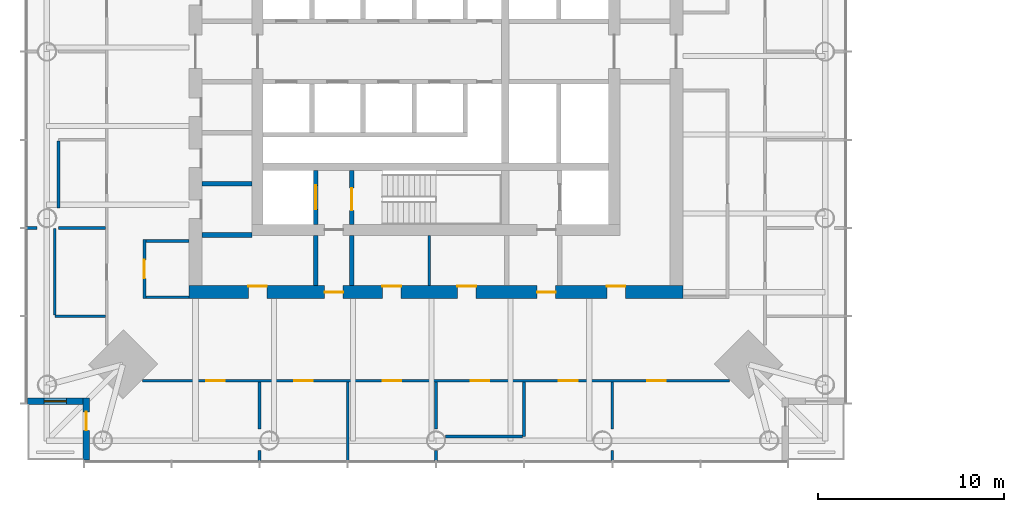
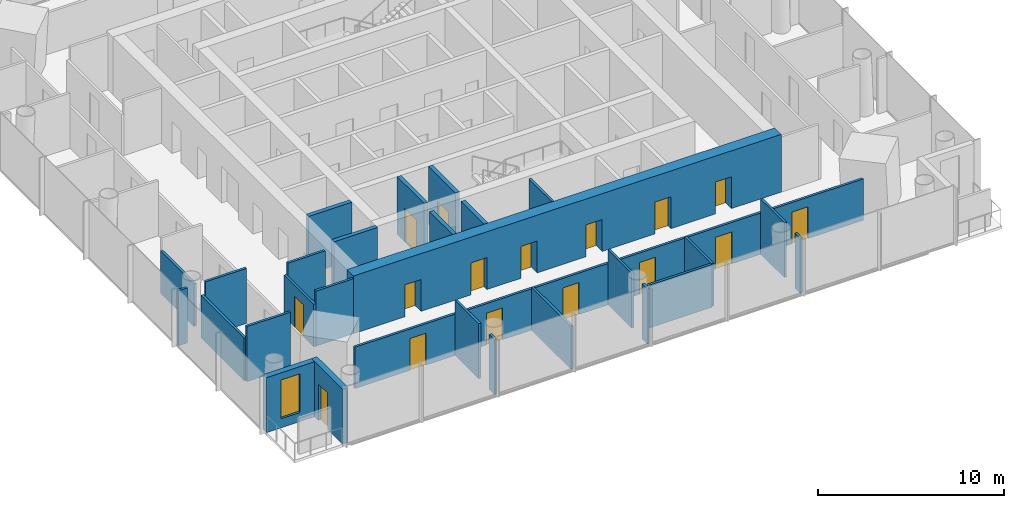
# One storey, part 8 of 19: 28 walls, 16 doors, 1 window, 17 openings.
"""IFC4 building model written with IfcOpenShell, lengths in metres."""

from ifc_helpers import new_model, si_unit, direction, frame, frame_2d, origin, place, context, subcontext, project, spatial, rectangle, extrude, material, layer, layer_set, type_object, element, fill, save


model = new_model("IFC4")

# Units and contexts
model_context = context("Model", 3, precision=1e-05, world=origin(), true_north=direction((0.0, 1.0)))
body_context = subcontext(model_context, "Body", "Model", "MODEL_VIEW")
ifc_project = project(units=[si_unit("LENGTHUNIT", "METRE"), si_unit("AREAUNIT", "SQUARE_METRE"), si_unit("VOLUMEUNIT", "CUBIC_METRE"), si_unit("PLANEANGLEUNIT", "RADIAN"), si_unit("MASSUNIT", "GRAM", prefix="KILO")], contexts=[model_context])

# Site, building, storey
site_placement = place(None, origin())
site = spatial("IfcSite", under=ifc_project, at=site_placement, CompositionType="ELEMENT")
building_placement = place(site_placement, origin())
building = spatial("IfcBuilding", under=site, at=building_placement, Name="Ostroluk Exchange", CompositionType="ELEMENT")
storey_placement = place(building_placement, frame((0.0, 0.0, 116.0)))
storey = spatial("IfcBuildingStorey", under=building, at=storey_placement, Name="L29", CompositionType="ELEMENT", Elevation=116.0)

# Walls
ifc_material_1 = material(Name="Concrete blockwork", Category="masonry")
ifc_layer_1 = layer(ifc_material_1, 0.14990234375)
ifc_layer_set_1 = layer_set([ifc_layer_1], Name="Blockwork plant room wall 150")
wall_type_1 = type_object("IfcWallType", Name="Blockwork plant room wall 150", PredefinedType="SOLIDWALL", material=ifc_layer_set_1)
wall_1_placement = place(storey_placement, frame((44.639892578125, 33.39990234375, 0.0), z_axis=(0.0, 0.0, 1.0), x_axis=(0.0, 1.0, 0.0)))
element("IfcWall", 1, at=wall_1_placement, inside=storey, type_object=wall_type_1, Name="Core room wall", PredefinedType="SOLIDWALL", context=body_context, shape_type="SweptSolid", body=[
    extrude(rectangle(XDim=2.7001953125, YDim=0.14990234375, at=frame_2d((1.35009765625, 0.0))), origin(), (0.0, 0.0, 1.0), 3.6201171875),
])
ifc_material_2 = material(Name="Concrete blockwork", Category="masonry")
ifc_layer_2 = layer(ifc_material_2, 0.25)
ifc_layer_set_2 = layer_set([ifc_layer_2], Name="Blockwork stair enclosure wall 250")
wall_type_2 = type_object("IfcWallType", Name="Blockwork stair enclosure wall 250", PredefinedType="SOLIDWALL", material=ifc_layer_set_2)
for number, where, z_axis, x_axis, name in (
    (2, (38.52490234375, 33.39990234375, 0.0), (0.0, 0.0, 1.0), (0.0, 1.0, 0.0), "Fire lobby enclosure wall"),
    (3, (40.47509765625, 33.39990234375, 0.0), (0.0, 0.0, 1.0), (0.0, 1.0, 0.0), "Fire lobby enclosure wall"),
):
    element("IfcWall", number, at=place(storey_placement, frame(where, z_axis=z_axis, x_axis=x_axis)), inside=storey, type_object=wall_type_2, Name=name, PredefinedType="SOLIDWALL", context=body_context, shape_type="SweptSolid", body=[
        extrude(rectangle(XDim=2.7001953125, YDim=0.25, at=frame_2d((1.35009765625, 0.0))), origin(), (0.0, 0.0, 1.0), 3.6201171875),
    ])

# Wall, opening, door
ifc_material_3 = material(Name="Concrete C40/50", Category="concrete")
ifc_layer_3 = layer(ifc_material_3, 0.25)
ifc_layer_set_3 = layer_set([ifc_layer_3], Name="Core shaft wall 250")
wall_type_3 = type_object("IfcWallType", Name="Core shaft wall 250", PredefinedType="SHEAR", material=ifc_layer_set_3)
wall_2_placement = place(storey_placement, frame((38.52490234375, 36.699951171875, 0.0), z_axis=(0.0, 0.0, 1.0), x_axis=(0.0, 1.0, 0.0)))
wall_2 = element("IfcWall", 4, at=wall_2_placement, inside=storey, type_object=wall_type_3, Name="Firefighting lift shaft wall", PredefinedType="SHEAR", context=body_context, shape_type="SweptSolid", body=[
    extrude(rectangle(XDim=2.900146484375, YDim=0.25, at=frame_2d((1.4501953125, 0.0))), origin(), (0.0, 0.0, 1.0), 3.800048828125),
])
opening_1_placement = place(wall_2_placement, frame((0.800048828125, 0.0, 0.0)))
opening_1 = element("IfcOpeningElement", 5, at=opening_1_placement, cuts=wall_2, Name="Opening LD2", PredefinedType="OPENING", context=body_context, shape_type="SweptSolid", body=[
    extrude(rectangle(XDim=1.300048828125, YDim=2.199951171875, at=frame_2d((0.64990234375, 1.10009765625))), frame((0.0, 0.135009765625, 0.0), z_axis=(0.0, -1.0, 0.0), x_axis=(1.0, 0.0, 0.0)), (0.0, 0.0, 1.0), 0.27001953125),
])
ifc_material_4 = material(Name="Stainless steel", Category="steel")
door_type_1 = type_object("IfcDoorType", Name="Lift landing door E 60 1300 x 2200", OperationType="DOUBLE_DOOR_SLIDING", PredefinedType="DOOR", material=ifc_material_4)
door_1_placement = place(opening_1_placement, origin())
door_1 = element("IfcDoor", 6, at=door_1_placement, inside=storey, type_object=door_type_1, Name="Lift FL1 landing door", OperationType="DOUBLE_DOOR_SLIDING", OverallHeight=2.199951171875, OverallWidth=1.300048828125, PredefinedType="DOOR", context=body_context, shape_type="SweptSolid", body=[
    extrude(rectangle(XDim=1.300048828125, YDim=2.199951171875, at=frame_2d((0.64990234375, 1.10009765625))), frame((0.0, 0.02490234375, 0.0), z_axis=(0.0, -1.0, 0.0), x_axis=(1.0, 0.0, 0.0)), (0.0, 0.0, 1.0), 0.050048828125),
])
fill(opening_1, door_1)

wall_3_placement = place(storey_placement, frame((40.47509765625, 36.699951171875, 0.0), z_axis=(0.0, 0.0, 1.0), x_axis=(0.0, 1.0, 0.0)))
wall_3 = element("IfcWall", 7, at=wall_3_placement, inside=storey, type_object=wall_type_3, Name="Stair shaft wall", PredefinedType="SHEAR", context=body_context, shape_type="SweptSolid", body=[
    extrude(rectangle(XDim=2.900146484375, YDim=0.25, at=frame_2d((1.4501953125, 0.0))), origin(), (0.0, 0.0, 1.0), 3.800048828125),
])
opening_2_placement = place(wall_3_placement, frame((0.75, 0.0, 0.0)))
opening_2 = element("IfcOpeningElement", 8, at=opening_2_placement, cuts=wall_3, Name="Opening FD60S", PredefinedType="OPENING", context=body_context, shape_type="SweptSolid", body=[
    extrude(rectangle(XDim=1.199951171875, YDim=2.10009765625, at=frame_2d((0.60009765625, 1.050048828125))), frame((0.0, 0.135009765625, 0.0), z_axis=(0.0, -1.0, 0.0), x_axis=(1.0, 0.0, 0.0)), (0.0, 0.0, 1.0), 0.27001953125),
])
ifc_material_5 = material(Name="Steel", Category="steel")
door_type_2 = type_object("IfcDoorType", Name="Stair door EI 60 1200 x 2100", OperationType="SINGLE_SWING_LEFT", PredefinedType="DOOR", material=ifc_material_5)
door_2_placement = place(opening_2_placement, origin())
door_2 = element("IfcDoor", 9, at=door_2_placement, inside=storey, type_object=door_type_2, Name="Stair T1-S1 door", OperationType="SINGLE_SWING_LEFT", OverallHeight=2.10009765625, OverallWidth=1.199951171875, PredefinedType="DOOR", context=body_context, shape_type="SweptSolid", body=[
    extrude(rectangle(XDim=1.199951171875, YDim=2.10009765625, at=frame_2d((0.60009765625, 1.050048828125))), frame((0.0, 0.02490234375, 0.0), z_axis=(0.0, -1.0, 0.0), x_axis=(1.0, 0.0, 0.0)), (0.0, 0.0, 1.0), 0.050048828125),
])
fill(opening_2, door_2)

# Walls
for number, where, z_axis, x_axis, name in (
    (10, (32.39990234375, 36.125, 0.0), (0.0, 0.0, 1.0), (1.0, 0.0, 0.0), "Lift shaft wall"),
    (11, (32.39990234375, 38.875, 0.0), (0.0, 0.0, 1.0), (1.0, 0.0, 0.0), "Lift shaft wall"),
):
    element("IfcWall", number, at=place(storey_placement, frame(where, z_axis=z_axis, x_axis=x_axis)), inside=storey, type_object=wall_type_3, Name=name, PredefinedType="SHEAR", context=body_context, shape_type="SweptSolid", body=[
        extrude(rectangle(XDim=2.7001953125, YDim=0.25, at=frame_2d((1.35009765625, 0.0))), origin(), (0.0, 0.0, 1.0), 3.800048828125),
    ])

# Wall, openings, doors
ifc_material_6 = material(Name="Concrete C50/60", Category="concrete")
ifc_layer_4 = layer(ifc_material_6, 0.699951171875)
ifc_layer_set_4 = layer_set([ifc_layer_4], Name="Core wall 700 C50/60")
wall_type_4 = type_object("IfcWallType", Name="Core wall 700 C50/60", PredefinedType="SHEAR", material=ifc_layer_set_4)
wall_4_placement = place(storey_placement, frame((31.699951171875, 33.050048828125, 0.0), z_axis=(0.0, 0.0, 1.0), x_axis=(1.0, 0.0, 0.0)))
wall_4 = element("IfcWall", 12, at=wall_4_placement, inside=storey, type_object=wall_type_4, Name="T1 core wall RS", PredefinedType="SHEAR", context=body_context, shape_type="SweptSolid", body=[
    extrude(rectangle(XDim=26.60009765625, YDim=0.699951171875, at=frame_2d((13.300048828125, 0.0))), origin(), (0.0, 0.0, 1.0), 3.800048828125),
])
opening_3_placement = place(wall_4_placement, frame((7.300048828125, 0.0, 0.0)))
opening_3 = element("IfcOpeningElement", 13, at=opening_3_placement, cuts=wall_4, Name="Opening FD60", PredefinedType="OPENING", context=body_context, shape_type="SweptSolid", body=[
    extrude(rectangle(XDim=1.0, YDim=2.10009765625, at=frame_2d((0.5, 1.050048828125))), frame((0.0, 0.35986328125, 0.0), z_axis=(0.0, -1.0, 0.0), x_axis=(1.0, 0.0, 0.0)), (0.0, 0.0, 1.0), 0.719970703125),
])
opening_4_placement = place(wall_4_placement, frame((18.75, 0.0, 0.0)))
opening_4 = element("IfcOpeningElement", 14, at=opening_4_placement, cuts=wall_4, Name="Opening FD60", PredefinedType="OPENING", context=body_context, shape_type="SweptSolid", body=[
    extrude(rectangle(XDim=1.0, YDim=2.10009765625, at=frame_2d((0.5, 1.050048828125))), frame((0.0, 0.35986328125, 0.0), z_axis=(0.0, -1.0, 0.0), x_axis=(1.0, 0.0, 0.0)), (0.0, 0.0, 1.0), 0.719970703125),
])
opening_5_placement = place(wall_4_placement, frame((3.199951171875, 0.0, 0.0)))
opening_5 = element("IfcOpeningElement", 15, at=opening_5_placement, cuts=wall_4, Name="Opening FD60", PredefinedType="OPENING", context=body_context, shape_type="SweptSolid", body=[
    extrude(rectangle(XDim=1.0, YDim=2.10009765625, at=frame_2d((0.5, 1.050048828125))), frame((0.0, 0.35986328125, 0.0), z_axis=(0.0, -1.0, 0.0), x_axis=(1.0, 0.0, 0.0)), (0.0, 0.0, 1.0), 0.719970703125),
])
opening_6_placement = place(wall_4_placement, frame((10.419921875, 0.0, 0.0)))
opening_6 = element("IfcOpeningElement", 16, at=opening_6_placement, cuts=wall_4, Name="Opening FD60", PredefinedType="OPENING", context=body_context, shape_type="SweptSolid", body=[
    extrude(rectangle(XDim=1.0, YDim=2.10009765625, at=frame_2d((0.5, 1.050048828125))), frame((0.0, 0.35986328125, 0.0), z_axis=(0.0, -1.0, 0.0), x_axis=(1.0, 0.0, 0.0)), (0.0, 0.0, 1.0), 0.719970703125),
])
opening_7_placement = place(wall_4_placement, frame((14.4599609375, 0.0, 0.0)))
opening_7 = element("IfcOpeningElement", 17, at=opening_7_placement, cuts=wall_4, Name="Opening FD60", PredefinedType="OPENING", context=body_context, shape_type="SweptSolid", body=[
    extrude(rectangle(XDim=1.0, YDim=2.10009765625, at=frame_2d((0.5, 1.050048828125))), frame((0.0, 0.35986328125, 0.0), z_axis=(0.0, -1.0, 0.0), x_axis=(1.0, 0.0, 0.0)), (0.0, 0.0, 1.0), 0.719970703125),
])
opening_8_placement = place(wall_4_placement, frame((22.5, 0.0, 0.0)))
opening_8 = element("IfcOpeningElement", 18, at=opening_8_placement, cuts=wall_4, Name="Opening FD60", PredefinedType="OPENING", context=body_context, shape_type="SweptSolid", body=[
    extrude(rectangle(XDim=1.0, YDim=2.10009765625, at=frame_2d((0.5, 1.050048828125))), frame((0.0, 0.35986328125, 0.0), z_axis=(0.0, -1.0, 0.0), x_axis=(1.0, 0.0, 0.0)), (0.0, 0.0, 1.0), 0.719970703125),
])
ifc_material_7 = material(Name="Steel", Category="steel")
door_type_3 = type_object("IfcDoorType", Name="Fire door EI 60 1000 x 2100", OperationType="SINGLE_SWING_LEFT", PredefinedType="DOOR", material=ifc_material_7)
door_3_placement = place(opening_3_placement, origin())
door_3 = element("IfcDoor", 19, at=door_3_placement, inside=storey, type_object=door_type_3, Name="Firefighting lobby door", OperationType="SINGLE_SWING_LEFT", OverallHeight=2.10009765625, OverallWidth=1.0, PredefinedType="DOOR", context=body_context, shape_type="SweptSolid", body=[
    extrude(rectangle(XDim=1.0, YDim=2.10009765625, at=frame_2d((0.5, 1.050048828125))), frame((0.0, 0.02490234375, 0.0), z_axis=(0.0, -1.0, 0.0), x_axis=(1.0, 0.0, 0.0)), (0.0, 0.0, 1.0), 0.050048828125),
])
fill(opening_3, door_3)
door_4_placement = place(opening_4_placement, origin())
door_4 = element("IfcDoor", 20, at=door_4_placement, inside=storey, type_object=door_type_3, Name="Service lobby door", OperationType="SINGLE_SWING_RIGHT", OverallHeight=2.10009765625, OverallWidth=1.0, PredefinedType="DOOR", context=body_context, shape_type="SweptSolid", body=[
    extrude(rectangle(XDim=1.0, YDim=2.10009765625, at=frame_2d((0.5, 1.050048828125))), frame((0.0, 0.02490234375, 0.0), z_axis=(0.0, -1.0, 0.0), x_axis=(1.0, 0.0, 0.0)), (0.0, 0.0, 1.0), 0.050048828125),
])
fill(opening_4, door_4)
door_5_placement = place(opening_5_placement, origin())
door_5 = element("IfcDoor", 21, at=door_5_placement, inside=storey, type_object=door_type_3, Name="Archive door", OperationType="SINGLE_SWING_LEFT", OverallHeight=2.10009765625, OverallWidth=1.0, PredefinedType="DOOR", context=body_context, shape_type="SweptSolid", body=[
    extrude(rectangle(XDim=1.0, YDim=2.10009765625, at=frame_2d((0.5, 1.050048828125))), frame((0.0, 0.33984375, 0.0), z_axis=(0.0, -1.0, 0.0), x_axis=(1.0, 0.0, 0.0)), (0.0, 0.0, 1.0), 0.050048828125),
])
fill(opening_5, door_5)
door_6_placement = place(opening_6_placement, origin())
door_6 = element("IfcDoor", 22, at=door_6_placement, inside=storey, type_object=door_type_3, Name="Tea point door", OperationType="SINGLE_SWING_LEFT", OverallHeight=2.10009765625, OverallWidth=1.0, PredefinedType="DOOR", context=body_context, shape_type="SweptSolid", body=[
    extrude(rectangle(XDim=1.0, YDim=2.10009765625, at=frame_2d((0.5, 1.050048828125))), frame((0.0, 0.33984375, 0.0), z_axis=(0.0, -1.0, 0.0), x_axis=(1.0, 0.0, 0.0)), (0.0, 0.0, 1.0), 0.050048828125),
])
fill(opening_6, door_6)
door_7_placement = place(opening_7_placement, origin())
door_7 = element("IfcDoor", 23, at=door_7_placement, inside=storey, type_object=door_type_3, Name="Print and post room door", OperationType="SINGLE_SWING_RIGHT", OverallHeight=2.10009765625, OverallWidth=1.0, PredefinedType="DOOR", context=body_context, shape_type="SweptSolid", body=[
    extrude(rectangle(XDim=1.0, YDim=2.10009765625, at=frame_2d((0.5, 1.050048828125))), frame((0.0, 0.33984375, 0.0), z_axis=(0.0, -1.0, 0.0), x_axis=(1.0, 0.0, 0.0)), (0.0, 0.0, 1.0), 0.050048828125),
])
fill(opening_7, door_7)
door_8_placement = place(opening_8_placement, origin())
door_8 = element("IfcDoor", 24, at=door_8_placement, inside=storey, type_object=door_type_3, Name="Tenant IT room door", OperationType="SINGLE_SWING_RIGHT", OverallHeight=2.10009765625, OverallWidth=1.0, PredefinedType="DOOR", context=body_context, shape_type="SweptSolid", body=[
    extrude(rectangle(XDim=1.0, YDim=2.10009765625, at=frame_2d((0.5, 1.050048828125))), frame((0.0, 0.33984375, 0.0), z_axis=(0.0, -1.0, 0.0), x_axis=(1.0, 0.0, 0.0)), (0.0, 0.0, 1.0), 0.050048828125),
])
fill(opening_8, door_8)

# Wall, opening, door
ifc_material_8 = material(Name="Limestone", Category="masonry")
ifc_layer_5 = layer(ifc_material_8, 0.35009765625)
ifc_layer_set_5 = layer_set([ifc_layer_5], Name="Limestone facade wall 350")
wall_type_5 = type_object("IfcWallType", Name="Limestone facade wall 350", PredefinedType="SOLIDWALL", material=ifc_layer_set_5)
wall_5_placement = place(storey_placement, frame((26.175048828125, 24.0, 0.0), z_axis=(0.0, 0.0, 1.0), x_axis=(0.0, 1.0, 0.0)))
wall_5 = element("IfcWall", 25, at=wall_5_placement, inside=storey, type_object=wall_type_5, Name="Office tower SW corner wall L29 a", PredefinedType="SOLIDWALL", context=body_context, shape_type="SweptSolid", body=[
    extrude(rectangle(XDim=3.35009765625, YDim=0.35009765625, at=frame_2d((1.675048828125, 0.0))), origin(), (0.0, 0.0, 1.0), 3.6201171875),
])
opening_9_placement = place(wall_5_placement, frame((1.60009765625, 0.0, 0.0)))
opening_9 = element("IfcOpeningElement", 26, at=opening_9_placement, cuts=wall_5, Name="Opening D-B1", PredefinedType="OPENING", context=body_context, shape_type="SweptSolid", body=[
    extrude(rectangle(XDim=1.0, YDim=2.39990234375, at=frame_2d((0.5, 1.199951171875))), frame((0.0, 0.18505859375, 0.0), z_axis=(0.0, -1.0, 0.0), x_axis=(1.0, 0.0, 0.0)), (0.0, 0.0, 1.0), 0.3701171875),
])
ifc_material_9 = material(Name="Bronze framed glazed door", Category="aluminium")
door_type_4 = type_object("IfcDoorType", Name="Balcony door 1000 x 2400", OperationType="SINGLE_SWING_LEFT", PredefinedType="DOOR", material=ifc_material_9)
door_9_placement = place(opening_9_placement, origin())
door_9 = element("IfcDoor", 27, at=door_9_placement, inside=storey, type_object=door_type_4, Name="Office tower SW balcony door L29", OperationType="SINGLE_SWING_RIGHT", OverallHeight=2.39990234375, OverallWidth=1.0, PredefinedType="DOOR", context=body_context, shape_type="SweptSolid", body=[
    extrude(rectangle(XDim=1.0, YDim=2.39990234375, at=frame_2d((0.5, 1.199951171875))), frame((0.0, 0.02490234375, 0.0), z_axis=(0.0, -1.0, 0.0), x_axis=(1.0, 0.0, 0.0)), (0.0, 0.0, 1.0), 0.050048828125),
])
fill(opening_9, door_9)

# Wall, opening, window
wall_6_placement = place(storey_placement, frame((26.0, 27.175048828125, 0.0), z_axis=(0.0, 0.0, 1.0), x_axis=(-1.0, 0.0, 0.0)))
wall_6 = element("IfcWall", 28, at=wall_6_placement, inside=storey, type_object=wall_type_5, Name="Office tower SW corner wall L29 b", PredefinedType="SOLIDWALL", context=body_context, shape_type="SweptSolid", body=[
    extrude(rectangle(XDim=3.0, YDim=0.35009765625, at=frame_2d((1.5, 0.0))), origin(), (0.0, 0.0, 1.0), 3.6201171875),
])
opening_10_placement = place(wall_6_placement, frame((0.89990234375, 0.0, 0.60009765625)))
opening_10 = element("IfcOpeningElement", 29, at=opening_10_placement, cuts=wall_6, Name="Opening WN-L1", PredefinedType="OPENING", context=body_context, shape_type="SweptSolid", body=[
    extrude(rectangle(XDim=1.199951171875, YDim=2.550048828125, at=frame_2d((0.60009765625, 1.27490234375))), frame((0.0, 0.18505859375, 0.0), z_axis=(0.0, -1.0, 0.0), x_axis=(1.0, 0.0, 0.0)), (0.0, 0.0, 1.0), 0.3701171875),
])
ifc_material_10 = material(Name="Laminated clear glass", Category="glass")
window_type = type_object("IfcWindowType", Name="Lancet window 1200 x 2550", PartitioningType="SINGLE_PANEL", PredefinedType="WINDOW", material=ifc_material_10)
window_placement = place(opening_10_placement, origin())
window = element("IfcWindow", 30, at=window_placement, inside=storey, type_object=window_type, Name="Office tower SW lancet window L29", OverallHeight=2.550048828125, OverallWidth=1.199951171875, PartitioningType="SINGLE_PANEL", PredefinedType="WINDOW", context=body_context, shape_type="SweptSolid", body=[
    extrude(rectangle(XDim=1.199951171875, YDim=2.550048828125, at=frame_2d((0.60009765625, 1.27490234375))), frame((0.0, 0.030029296875, 0.0), z_axis=(0.0, -1.0, 0.0), x_axis=(1.0, 0.0, 0.0)), (0.0, 0.0, 1.0), 0.06005859375),
])
fill(opening_10, window)

# Wall, opening, door
ifc_material_11 = material(Name="Gypsum plasterboard partition", Category="gypsum")
ifc_layer_6 = layer(ifc_material_11, 0.14990234375)
ifc_layer_set_6 = layer_set([ifc_layer_6], Name="Plasterboard partition 150")
wall_type_6 = type_object("IfcWallType", Name="Plasterboard partition 150", PredefinedType="PARTITIONING", material=ifc_layer_set_6)
wall_7_placement = place(storey_placement, frame((29.300048828125, 35.875, 0.0), z_axis=(0.0, 0.0, 1.0), x_axis=(0.0, -1.0, 0.0)))
wall_7 = element("IfcWall", 31, at=wall_7_placement, inside=storey, type_object=wall_type_6, Name="Partition", PredefinedType="PARTITIONING", context=body_context, shape_type="SweptSolid", body=[
    extrude(rectangle(XDim=3.175048828125, YDim=0.14990234375, at=frame_2d((1.58740234375, 0.0))), origin(), (0.0, 0.0, 1.0), 2.805908203125),
])
opening_11_placement = place(wall_7_placement, frame((1.08740234375, 0.0, 0.0)))
opening_11 = element("IfcOpeningElement", 32, at=opening_11_placement, cuts=wall_7, Name="Opening D-03", PredefinedType="OPENING", context=body_context, shape_type="SweptSolid", body=[
    extrude(rectangle(XDim=1.0, YDim=2.10009765625, at=frame_2d((0.5, 1.050048828125))), frame((0.0, 0.0849609375, 0.0), z_axis=(0.0, -1.0, 0.0), x_axis=(1.0, 0.0, 0.0)), (0.0, 0.0, 1.0), 0.169921875),
])
ifc_material_12 = material(Name="Timber", Category="wood")
door_type_5 = type_object("IfcDoorType", Name="Internal door 1000 x 2100", OperationType="SINGLE_SWING_LEFT", PredefinedType="DOOR", material=ifc_material_12)
door_10_placement = place(opening_11_placement, origin())
door_10 = element("IfcDoor", 33, at=door_10_placement, inside=storey, type_object=door_type_5, Name="Quiet room door", OperationType="SINGLE_SWING_RIGHT", OverallHeight=2.10009765625, OverallWidth=1.0, PredefinedType="DOOR", context=body_context, shape_type="SweptSolid", body=[
    extrude(rectangle(XDim=1.0, YDim=2.10009765625, at=frame_2d((0.5, 1.050048828125))), frame((0.0, 0.02490234375, 0.0), z_axis=(0.0, -1.0, 0.0), x_axis=(1.0, 0.0, 0.0)), (0.0, 0.0, 1.0), 0.050048828125),
])
fill(opening_11, door_10)

# Walls
for number, where, z_axis, x_axis, name in (
    (34, (31.699951171875, 35.800048828125, 0.0), (0.0, 0.0, 1.0), (-1.0, 0.0, 0.0), "Partition"),
    (35, (31.699951171875, 32.77490234375, 0.0), (0.0, 0.0, 1.0), (-1.0, 0.0, 0.0), "Partition"),
):
    element("IfcWall", number, at=place(storey_placement, frame(where, z_axis=z_axis, x_axis=x_axis)), inside=storey, type_object=wall_type_6, Name=name, PredefinedType="PARTITIONING", context=body_context, shape_type="SweptSolid", body=[
        extrude(rectangle(XDim=2.324951171875, YDim=0.14990234375, at=frame_2d((1.16259765625, 0.0))), origin(), (0.0, 0.0, 1.0), 3.6201171875),
    ])
wall_8_placement = place(storey_placement, frame((27.199951171875, 36.5, 0.0), z_axis=(0.0, 0.0, 1.0), x_axis=(-1.0, 0.0, 0.0)))
element("IfcWall", 36, at=wall_8_placement, inside=storey, type_object=wall_type_6, Name="Partition", PredefinedType="PARTITIONING", context=body_context, shape_type="SweptSolid", body=[
    extrude(rectangle(XDim=2.534912109375, YDim=0.14990234375, at=frame_2d((1.267578125, 0.0))), origin(), (0.0, 0.0, 1.0), 3.6201171875),
])
wall_9_placement = place(storey_placement, frame((23.52783203125, 36.5, 0.0), z_axis=(0.0, 0.0, 1.0), x_axis=(-1.0, 0.0, 0.0)))
element("IfcWall", 37, at=wall_9_placement, inside=storey, type_object=wall_type_6, Name="Partition", PredefinedType="PARTITIONING", context=body_context, shape_type="SweptSolid", body=[
    extrude(rectangle(XDim=0.56787109375, YDim=0.14990234375, at=frame_2d((0.283935546875, 0.0))), origin(), (0.0, 0.0, 1.0), 3.6201171875),
])
wall_10_placement = place(storey_placement, frame((27.199951171875, 31.75, 0.0), z_axis=(0.0, 0.0, 1.0), x_axis=(-1.0, 0.0, 0.0)))
element("IfcWall", 38, at=wall_10_placement, inside=storey, type_object=wall_type_6, Name="Partition", PredefinedType="PARTITIONING", context=body_context, shape_type="SweptSolid", body=[
    extrude(rectangle(XDim=2.724853515625, YDim=0.14990234375, at=frame_2d((1.3623046875, 0.0))), origin(), (0.0, 0.0, 1.0), 3.6201171875),
])
wall_11_placement = place(storey_placement, frame((45.508056640625, 25.27490234375, 0.0), z_axis=(0.0, 0.0, 1.0), x_axis=(1.0, 0.0, 0.0)))
element("IfcWall", 39, at=wall_11_placement, inside=storey, type_object=wall_type_6, Name="Partition", PredefinedType="PARTITIONING", context=body_context, shape_type="SweptSolid", body=[
    extrude(rectangle(XDim=4.1669921875, YDim=0.14990234375, at=frame_2d((2.08349609375, 0.0))), origin(), (0.0, 0.0, 1.0), 2.820068359375),
])

# Wall, openings, doors
wall_12_placement = place(storey_placement, frame((29.1884765625, 28.27490234375, 0.0), z_axis=(0.0, 0.0, 1.0), x_axis=(1.0, 0.0, 0.0)))
wall_12 = element("IfcWall", 40, at=wall_12_placement, inside=storey, type_object=wall_type_6, Name="Partition", PredefinedType="PARTITIONING", context=body_context, shape_type="SweptSolid", body=[
    extrude(rectangle(XDim=31.623046875, YDim=0.14990234375, at=frame_2d((15.8115234375, 0.0))), origin(), (0.0, 0.0, 1.0), 2.719970703125),
])
opening_12_placement = place(wall_12_placement, frame((3.4365234375, 0.0, 0.0)))
opening_12 = element("IfcOpeningElement", 41, at=opening_12_placement, cuts=wall_12, Name="Opening D-03", PredefinedType="OPENING", context=body_context, shape_type="SweptSolid", body=[
    extrude(rectangle(XDim=1.0, YDim=2.10009765625, at=frame_2d((0.5, 1.050048828125))), frame((0.0, 0.0849609375, 0.0), z_axis=(0.0, -1.0, 0.0), x_axis=(1.0, 0.0, 0.0)), (0.0, 0.0, 1.0), 0.169921875),
])
opening_13_placement = place(wall_12_placement, frame((8.1865234375, 0.0, 0.0)))
opening_13 = element("IfcOpeningElement", 42, at=opening_13_placement, cuts=wall_12, Name="Opening D-03", PredefinedType="OPENING", context=body_context, shape_type="SweptSolid", body=[
    extrude(rectangle(XDim=1.0, YDim=2.10009765625, at=frame_2d((0.5, 1.050048828125))), frame((0.0, 0.0849609375, 0.0), z_axis=(0.0, -1.0, 0.0), x_axis=(1.0, 0.0, 0.0)), (0.0, 0.0, 1.0), 0.169921875),
])
opening_14_placement = place(wall_12_placement, frame((12.9365234375, 0.0, 0.0)))
opening_14 = element("IfcOpeningElement", 43, at=opening_14_placement, cuts=wall_12, Name="Opening D-03", PredefinedType="OPENING", context=body_context, shape_type="SweptSolid", body=[
    extrude(rectangle(XDim=1.0, YDim=2.10009765625, at=frame_2d((0.5, 1.050048828125))), frame((0.0, 0.0849609375, 0.0), z_axis=(0.0, -1.0, 0.0), x_axis=(1.0, 0.0, 0.0)), (0.0, 0.0, 1.0), 0.169921875),
])
opening_15_placement = place(wall_12_placement, frame((17.6865234375, 0.0, 0.0)))
opening_15 = element("IfcOpeningElement", 44, at=opening_15_placement, cuts=wall_12, Name="Opening D-03", PredefinedType="OPENING", context=body_context, shape_type="SweptSolid", body=[
    extrude(rectangle(XDim=1.0, YDim=2.10009765625, at=frame_2d((0.5, 1.050048828125))), frame((0.0, 0.0849609375, 0.0), z_axis=(0.0, -1.0, 0.0), x_axis=(1.0, 0.0, 0.0)), (0.0, 0.0, 1.0), 0.169921875),
])
opening_16_placement = place(wall_12_placement, frame((22.4365234375, 0.0, 0.0)))
opening_16 = element("IfcOpeningElement", 45, at=opening_16_placement, cuts=wall_12, Name="Opening D-03", PredefinedType="OPENING", context=body_context, shape_type="SweptSolid", body=[
    extrude(rectangle(XDim=1.0, YDim=2.10009765625, at=frame_2d((0.5, 1.050048828125))), frame((0.0, 0.0849609375, 0.0), z_axis=(0.0, -1.0, 0.0), x_axis=(1.0, 0.0, 0.0)), (0.0, 0.0, 1.0), 0.169921875),
])
opening_17_placement = place(wall_12_placement, frame((27.1865234375, 0.0, 0.0)))
opening_17 = element("IfcOpeningElement", 46, at=opening_17_placement, cuts=wall_12, Name="Opening D-03", PredefinedType="OPENING", context=body_context, shape_type="SweptSolid", body=[
    extrude(rectangle(XDim=1.0, YDim=2.10009765625, at=frame_2d((0.5, 1.050048828125))), frame((0.0, 0.0849609375, 0.0), z_axis=(0.0, -1.0, 0.0), x_axis=(1.0, 0.0, 0.0)), (0.0, 0.0, 1.0), 0.169921875),
])
door_11_placement = place(opening_12_placement, origin())
door_11 = element("IfcDoor", 47, at=door_11_placement, inside=storey, type_object=door_type_5, Name="Office suite door", OperationType="SINGLE_SWING_LEFT", OverallHeight=2.10009765625, OverallWidth=1.0, PredefinedType="DOOR", context=body_context, shape_type="SweptSolid", body=[
    extrude(rectangle(XDim=1.0, YDim=2.10009765625, at=frame_2d((0.5, 1.050048828125))), frame((0.0, 0.02490234375, 0.0), z_axis=(0.0, -1.0, 0.0), x_axis=(1.0, 0.0, 0.0)), (0.0, 0.0, 1.0), 0.050048828125),
])
fill(opening_12, door_11)
door_12_placement = place(opening_13_placement, origin())
door_12 = element("IfcDoor", 48, at=door_12_placement, inside=storey, type_object=door_type_5, Name="Meeting room door", OperationType="SINGLE_SWING_LEFT", OverallHeight=2.10009765625, OverallWidth=1.0, PredefinedType="DOOR", context=body_context, shape_type="SweptSolid", body=[
    extrude(rectangle(XDim=1.0, YDim=2.10009765625, at=frame_2d((0.5, 1.050048828125))), frame((0.0, 0.02490234375, 0.0), z_axis=(0.0, -1.0, 0.0), x_axis=(1.0, 0.0, 0.0)), (0.0, 0.0, 1.0), 0.050048828125),
])
fill(opening_13, door_12)
door_13_placement = place(opening_14_placement, origin())
door_13 = element("IfcDoor", 49, at=door_13_placement, inside=storey, type_object=door_type_5, Name="Pantry door", OperationType="SINGLE_SWING_LEFT", OverallHeight=2.10009765625, OverallWidth=1.0, PredefinedType="DOOR", context=body_context, shape_type="SweptSolid", body=[
    extrude(rectangle(XDim=1.0, YDim=2.10009765625, at=frame_2d((0.5, 1.050048828125))), frame((0.0, 0.02490234375, 0.0), z_axis=(0.0, -1.0, 0.0), x_axis=(1.0, 0.0, 0.0)), (0.0, 0.0, 1.0), 0.050048828125),
])
fill(opening_14, door_13)
door_14_placement = place(opening_15_placement, origin())
door_14 = element("IfcDoor", 50, at=door_14_placement, inside=storey, type_object=door_type_5, Name="Focus room door", OperationType="SINGLE_SWING_RIGHT", OverallHeight=2.10009765625, OverallWidth=1.0, PredefinedType="DOOR", context=body_context, shape_type="SweptSolid", body=[
    extrude(rectangle(XDim=1.0, YDim=2.10009765625, at=frame_2d((0.5, 1.050048828125))), frame((0.0, 0.02490234375, 0.0), z_axis=(0.0, -1.0, 0.0), x_axis=(1.0, 0.0, 0.0)), (0.0, 0.0, 1.0), 0.050048828125),
])
fill(opening_15, door_14)
door_15_placement = place(opening_16_placement, origin())
door_15 = element("IfcDoor", 51, at=door_15_placement, inside=storey, type_object=door_type_5, Name="Office door", OperationType="SINGLE_SWING_RIGHT", OverallHeight=2.10009765625, OverallWidth=1.0, PredefinedType="DOOR", context=body_context, shape_type="SweptSolid", body=[
    extrude(rectangle(XDim=1.0, YDim=2.10009765625, at=frame_2d((0.5, 1.050048828125))), frame((0.0, 0.02490234375, 0.0), z_axis=(0.0, -1.0, 0.0), x_axis=(1.0, 0.0, 0.0)), (0.0, 0.0, 1.0), 0.050048828125),
])
fill(opening_16, door_15)
door_16_placement = place(opening_17_placement, origin())
door_16 = element("IfcDoor", 52, at=door_16_placement, inside=storey, type_object=door_type_5, Name="Office door", OperationType="SINGLE_SWING_RIGHT", OverallHeight=2.10009765625, OverallWidth=1.0, PredefinedType="DOOR", context=body_context, shape_type="SweptSolid", body=[
    extrude(rectangle(XDim=1.0, YDim=2.10009765625, at=frame_2d((0.5, 1.050048828125))), frame((0.0, 0.02490234375, 0.0), z_axis=(0.0, -1.0, 0.0), x_axis=(1.0, 0.0, 0.0)), (0.0, 0.0, 1.0), 0.050048828125),
])
fill(opening_17, door_16)

# Walls
wall_13_placement = place(storey_placement, frame((35.5, 28.199951171875, 0.0), z_axis=(0.0, 0.0, 1.0), x_axis=(0.0, -1.0, 0.0)))
element("IfcWall", 53, at=wall_13_placement, inside=storey, type_object=wall_type_6, Name="Partition", PredefinedType="PARTITIONING", context=body_context, shape_type="SweptSolid", body=[
    extrude(rectangle(XDim=2.534912109375, YDim=0.14990234375, at=frame_2d((1.267578125, 0.0))), origin(), (0.0, 0.0, 1.0), 3.6201171875),
])
wall_14_placement = place(storey_placement, frame((35.5, 24.52783203125, 0.0), z_axis=(0.0, 0.0, 1.0), x_axis=(0.0, -1.0, 0.0)))
element("IfcWall", 54, at=wall_14_placement, inside=storey, type_object=wall_type_6, Name="Partition", PredefinedType="PARTITIONING", context=body_context, shape_type="SweptSolid", body=[
    extrude(rectangle(XDim=0.56787109375, YDim=0.14990234375, at=frame_2d((0.283935546875, 0.0))), origin(), (0.0, 0.0, 1.0), 3.6201171875),
])
wall_15_placement = place(storey_placement, frame((40.25, 28.199951171875, 0.0), z_axis=(0.0, 0.0, 1.0), x_axis=(0.0, -1.0, 0.0)))
element("IfcWall", 55, at=wall_15_placement, inside=storey, type_object=wall_type_6, Name="Partition", PredefinedType="PARTITIONING", context=body_context, shape_type="SweptSolid", body=[
    extrude(rectangle(XDim=4.239990234375, YDim=0.14990234375, at=frame_2d((2.1201171875, 0.0))), origin(), (0.0, 0.0, 1.0), 2.820068359375),
])
wall_16_placement = place(storey_placement, frame((45.0, 28.199951171875, 0.0), z_axis=(0.0, 0.0, 1.0), x_axis=(0.0, -1.0, 0.0)))
element("IfcWall", 56, at=wall_16_placement, inside=storey, type_object=wall_type_6, Name="Partition", PredefinedType="PARTITIONING", context=body_context, shape_type="SweptSolid", body=[
    extrude(rectangle(XDim=2.534912109375, YDim=0.14990234375, at=frame_2d((1.267578125, 0.0))), origin(), (0.0, 0.0, 1.0), 3.6201171875),
])
wall_17_placement = place(storey_placement, frame((45.0, 24.52783203125, 0.0), z_axis=(0.0, 0.0, 1.0), x_axis=(0.0, -1.0, 0.0)))
element("IfcWall", 57, at=wall_17_placement, inside=storey, type_object=wall_type_6, Name="Partition", PredefinedType="PARTITIONING", context=body_context, shape_type="SweptSolid", body=[
    extrude(rectangle(XDim=0.56787109375, YDim=0.14990234375, at=frame_2d((0.283935546875, 0.0))), origin(), (0.0, 0.0, 1.0), 3.6201171875),
])
wall_18_placement = place(storey_placement, frame((49.75, 28.199951171875, 0.0), z_axis=(0.0, 0.0, 1.0), x_axis=(0.0, -1.0, 0.0)))
element("IfcWall", 58, at=wall_18_placement, inside=storey, type_object=wall_type_6, Name="Partition", PredefinedType="PARTITIONING", context=body_context, shape_type="SweptSolid", body=[
    extrude(rectangle(XDim=2.925048828125, YDim=0.14990234375, at=frame_2d((1.46240234375, 0.0))), origin(), (0.0, 0.0, 1.0), 2.820068359375),
])
wall_19_placement = place(storey_placement, frame((54.5, 28.199951171875, 0.0), z_axis=(0.0, 0.0, 1.0), x_axis=(0.0, -1.0, 0.0)))
element("IfcWall", 59, at=wall_19_placement, inside=storey, type_object=wall_type_6, Name="Partition", PredefinedType="PARTITIONING", context=body_context, shape_type="SweptSolid", body=[
    extrude(rectangle(XDim=2.534912109375, YDim=0.14990234375, at=frame_2d((1.267578125, 0.0))), origin(), (0.0, 0.0, 1.0), 3.6201171875),
])
wall_20_placement = place(storey_placement, frame((54.5, 24.52783203125, 0.0), z_axis=(0.0, 0.0, 1.0), x_axis=(0.0, -1.0, 0.0)))
element("IfcWall", 60, at=wall_20_placement, inside=storey, type_object=wall_type_6, Name="Partition", PredefinedType="PARTITIONING", context=body_context, shape_type="SweptSolid", body=[
    extrude(rectangle(XDim=0.56787109375, YDim=0.14990234375, at=frame_2d((0.283935546875, 0.0))), origin(), (0.0, 0.0, 1.0), 3.6201171875),
])
ifc_material_13 = material(Name="Gypsum plasterboard partition, moisture resistant", Category="gypsum")
ifc_layer_7 = layer(ifc_material_13, 0.14990234375)
ifc_layer_set_7 = layer_set([ifc_layer_7], Name="Plasterboard toilet partition 150")
wall_type_7 = type_object("IfcWallType", Name="Plasterboard toilet partition 150", PredefinedType="PARTITIONING", material=ifc_layer_set_7)
wall_21_placement = place(storey_placement, frame((24.675048828125, 41.175048828125, 0.0), z_axis=(0.0, 0.0, 1.0), x_axis=(0.0, -1.0, 0.0)))
element("IfcWall", 61, at=wall_21_placement, inside=storey, type_object=wall_type_7, Name="Toilet partition", PredefinedType="PARTITIONING", context=body_context, shape_type="SweptSolid", body=[
    extrude(rectangle(XDim=3.58837890625, YDim=0.14990234375, at=frame_2d((1.794189453125, 0.0))), origin(), (0.0, 0.0, 1.0), 2.805908203125),
])
wall_22_placement = place(storey_placement, frame((24.47509765625, 36.465087890625, 0.0), z_axis=(0.0, 0.0, 1.0), x_axis=(0.0, -1.0, 0.0)))
element("IfcWall", 62, at=wall_22_placement, inside=storey, type_object=wall_type_7, Name="Toilet partition", PredefinedType="PARTITIONING", context=body_context, shape_type="SweptSolid", body=[
    extrude(rectangle(XDim=4.64013671875, YDim=0.14990234375, at=frame_2d((2.320068359375, 0.0))), origin(), (0.0, 0.0, 1.0), 2.805908203125),
])

save(model, "model.ifc")
